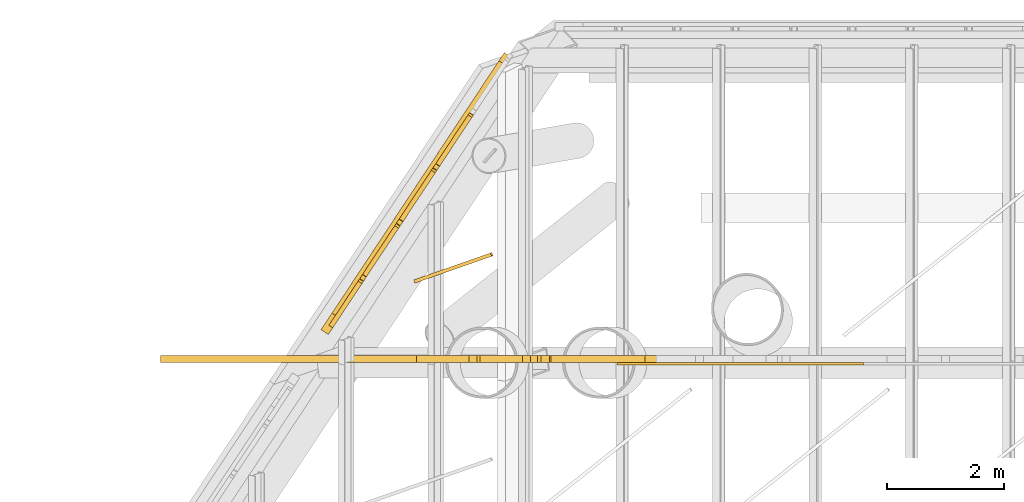
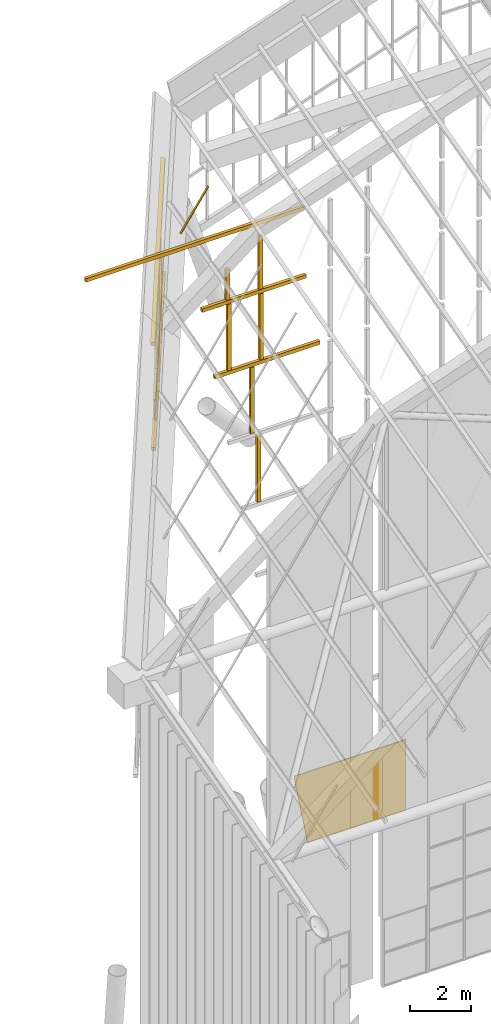
# One storey, part 113 of 126: 20 coverings.
"""IFC4 building model written with IfcOpenShell, lengths in metres."""

from ifc_helpers import new_model, si_unit, direction, frame, origin, origin_2d, place, context, subcontext, project, spatial, polyline, rectangle, outline, extrude, material, layer, layer_set, material_profile, profile_set, type_object, element, save


model = new_model("IFC4")

# Units and contexts
model_context = context("Model", 3, precision=1e-05, world=origin(), true_north=direction((0.0, 1.0)))
body_context = subcontext(model_context, "Body", "Model", "MODEL_VIEW")
ifc_project = project(units=[si_unit("LENGTHUNIT", "METRE"), si_unit("AREAUNIT", "SQUARE_METRE"), si_unit("VOLUMEUNIT", "CUBIC_METRE"), si_unit("PLANEANGLEUNIT", "RADIAN"), si_unit("MASSUNIT", "GRAM", prefix="KILO")], contexts=[model_context])

# Site, building, storey
site_placement = place(None, origin())
site = spatial("IfcSite", under=ifc_project, at=site_placement, CompositionType="ELEMENT")
building_placement = place(site_placement, origin())
building = spatial("IfcBuilding", under=site, at=building_placement, Name="Sava Quay Ferry Terminal", CompositionType="ELEMENT")
storey_placement = place(building_placement, frame((0.0, 0.0, 15.0)))
storey = spatial("IfcBuildingStorey", under=building, at=storey_placement, Name="L03", CompositionType="ELEMENT", Elevation=15.0)

# Coverings
ifc_material_1 = material(Name="Zinc standing seam sheet")
ifc_material_profile_1 = material_profile(ifc_material_1, rectangle(XDim=0.300048828125, YDim=0.14990234375, at=origin_2d()), Name="Strip 300 x 150")
ifc_profile_set_1 = profile_set([ifc_material_profile_1], Name="Zinc standing seam sheet")
covering_type_1 = type_object("IfcCoveringType", Name="Prow apron batten band 300 x 150", PredefinedType="CLADDING", material=ifc_profile_set_1)
covering_1_placement = place(storey_placement, frame((50.580078125, 114.38525390625, 20.356201171875), z_axis=(-0.460642119145, -0.696328657324, -0.55039552965), x_axis=(-0.303670062788, -0.459042189809, 0.834904042954)))
element("IfcCovering", 1, at=covering_1_placement, inside=storey, type_object=covering_type_1, Name="Prow apron batten band", PredefinedType="CLADDING", context=body_context, shape_type="SweptSolid", body=[
    extrude(rectangle(XDim=0.300048828125, YDim=0.14990234375, at=origin_2d()), origin(), (0.0, 0.0, 1.0), 6.188232421875),
])
covering_2_placement = place(storey_placement, frame((50.531005859375, 114.31103515625, 24.938232421875), z_axis=(-0.460666433072, -0.696320382631, -0.550385648589), x_axis=(-0.303678270073, -0.459024912677, 0.834910556783)))
element("IfcCovering", 2, at=covering_2_placement, inside=storey, type_object=covering_type_1, Name="Prow apron batten band", PredefinedType="CLADDING", context=body_context, shape_type="SweptSolid", body=[
    extrude(rectangle(XDim=0.300048828125, YDim=0.14990234375, at=origin_2d()), origin(), (0.0, 0.0, 1.0), 6.49267578125),
])
ifc_material_2 = material(Name="Zinc standing seam sheet")
ifc_material_profile_2 = material_profile(ifc_material_2, rectangle(XDim=0.080078125, YDim=0.080078125, at=origin_2d()), Name="Strip 80 x 80")
ifc_profile_set_2 = profile_set([ifc_material_profile_2], Name="Zinc standing seam sheet")
covering_type_2 = type_object("IfcCoveringType", Name="Prow apron seam rib 80 x 80", PredefinedType="CLADDING", material=ifc_profile_set_2)
for number, where, z_axis, x_axis, name in (
    (3, (49.40234375, 112.54150390625, 19.1337890625), (0.0, 0.0, 1.0), (0.551746967429, 0.834011561031, 0.0), "Prow apron seam rib"),
    (4, (48.776123046875, 111.594970703125, 18.3857421875), (0.0, 0.0, 1.0), (0.551746967429, 0.834011561031, 0.0), "Prow apron seam rib"),
    (5, (48.14990234375, 110.6484375, 17.637451171875), (0.0, 0.0, 1.0), (0.551746967429, 0.834011561031, 0.0), "Prow apron seam rib"),
):
    element("IfcCovering", number, at=place(storey_placement, frame(where, z_axis=z_axis, x_axis=x_axis)), inside=storey, type_object=covering_type_2, Name=name, PredefinedType="CLADDING", context=body_context, shape_type="SweptSolid", body=[
        extrude(rectangle(XDim=0.080078125, YDim=0.080078125, at=origin_2d()), origin(), (0.0, 0.0, 1.0), 4.201416015625),
    ])
covering_3_placement = place(storey_placement, frame((49.989990234375, 113.4296875, 21.9365234375), z_axis=(-0.460654731842, -0.696309954982, -0.550408634221), x_axis=(-0.303688750268, -0.459045539773, 0.834895403853)))
element("IfcCovering", 6, at=covering_3_placement, inside=storey, type_object=covering_type_2, Name="Prow apron cross seam", PredefinedType="CLADDING", context=body_context, shape_type="SweptSolid", body=[
    extrude(rectangle(XDim=0.080078125, YDim=0.080078125, at=origin_2d()), origin(), (0.0, 0.0, 1.0), 1.19140625),
])
covering_4_placement = place(storey_placement, frame((49.36376953125, 112.483154296875, 21.1884765625), z_axis=(-0.460698463658, -0.696271266329, -0.550420974589), x_axis=(-0.303727349779, -0.459034798532, 0.834887268278)))
element("IfcCovering", 7, at=covering_4_placement, inside=storey, type_object=covering_type_2, Name="Prow apron cross seam", PredefinedType="CLADDING", context=body_context, shape_type="SweptSolid", body=[
    extrude(rectangle(XDim=0.080078125, YDim=0.080078125, at=origin_2d()), origin(), (0.0, 0.0, 1.0), 1.19189453125),
])
covering_5_placement = place(storey_placement, frame((48.737548828125, 111.53662109375, 20.440185546875), z_axis=(-0.460537072026, -0.69633696967, -0.550472914829), x_axis=(-0.3036620548, -0.459140268801, 0.834853023017)))
element("IfcCovering", 8, at=covering_5_placement, inside=storey, type_object=covering_type_2, Name="Prow apron cross seam", PredefinedType="CLADDING", context=body_context, shape_type="SweptSolid", body=[
    extrude(rectangle(XDim=0.080078125, YDim=0.080078125, at=origin_2d()), origin(), (0.0, 0.0, 1.0), 1.191650390625),
])
covering_6_placement = place(storey_placement, frame((48.111328125, 110.590087890625, 19.69189453125), z_axis=(-0.460643185119, -0.696373503922, -0.550337895333), x_axis=(-0.303625150639, -0.459002796221, 0.834942034492)))
element("IfcCovering", 9, at=covering_6_placement, inside=storey, type_object=covering_type_2, Name="Prow apron cross seam", PredefinedType="CLADDING", context=body_context, shape_type="SweptSolid", body=[
    extrude(rectangle(XDim=0.080078125, YDim=0.080078125, at=origin_2d()), origin(), (0.0, 0.0, 1.0), 1.083251953125),
])
ifc_material_3 = material(Name="Laminated glass", Category="glass")
ifc_layer_1 = layer(ifc_material_3, 0.0400390625)
ifc_layer_set_1 = layer_set([ifc_layer_1], Name="Laminated glass")
covering_type_3 = type_object("IfcCoveringType", Name="Prow end glazing 40", PredefinedType="CLADDING", material=ifc_layer_set_1)
covering_7_placement = place(storey_placement, frame((52.5, 109.199951171875, 2.72900390625), z_axis=(0.0, 1.0, 0.0), x_axis=(0.0, 0.0, 1.0)))
element("IfcCovering", 10, at=covering_7_placement, inside=storey, type_object=covering_type_3, Name="Departure hall prow end glazing panel 11", PredefinedType="CLADDING", context=body_context, shape_type="SweptSolid", body=[
    extrude(outline(polyline([(0.0, 0.0), (0.091064453125, 0.0), (0.091064453125, 4.199951171875), (-2.722412109375, 4.199951171875), (-2.722412109375, 0.499267578125), (0.0, 0.0)])), origin(), (0.0, 0.0, -1.0), 0.0400390625),
])
ifc_material_4 = material(Name="Steel S355", Category="steel")
ifc_material_profile_3 = material_profile(ifc_material_4, rectangle(XDim=0.139892578125, YDim=0.1201171875, at=origin_2d()), Name="Strip 140 x 120")
ifc_profile_set_3 = profile_set([ifc_material_profile_3], Name="Steel S355")
covering_type_4 = type_object("IfcCoveringType", Name="Prow glazing bar 140 x 120", PredefinedType="CLADDING", material=ifc_profile_set_3)
covering_8_placement = place(storey_placement, frame((51.201416015625, 109.260009765625, 14.16357421875), z_axis=(0.0, 0.0, 1.0), x_axis=(1.0, 0.0, 0.0)))
element("IfcCovering", 11, at=covering_8_placement, inside=storey, type_object=covering_type_4, Name="Prow glazing bar", PredefinedType="CLADDING", context=body_context, shape_type="SweptSolid", body=[
    extrude(rectangle(XDim=0.139892578125, YDim=0.1201171875, at=origin_2d()), origin(), (0.0, 0.0, 1.0), 2.633056640625),
])
covering_9_placement = place(storey_placement, frame((50.943603515625, 109.260009765625, 16.976806640625), z_axis=(0.0, 0.0, 1.0), x_axis=(1.0, 0.0, 0.0)))
element("IfcCovering", 12, at=covering_9_placement, inside=storey, type_object=covering_type_4, Name="Prow glazing bar", PredefinedType="CLADDING", context=body_context, shape_type="SweptSolid", body=[
    extrude(rectangle(XDim=0.139892578125, YDim=0.1201171875, at=origin_2d()), origin(), (0.0, 0.0, 1.0), 2.63330078125),
])
for number, where, z_axis, x_axis, name in (
    (13, (51.290283203125, 109.260009765625, 19.790283203125), (0.0, 0.0, 1.0), (1.0, 0.0, 0.0), "Prow glazing bar"),
    (14, (50.08056640625, 109.260009765625, 19.790283203125), (0.0, 0.0, 1.0), (1.0, 0.0, 0.0), "Prow glazing bar"),
):
    element("IfcCovering", number, at=place(storey_placement, frame(where, z_axis=z_axis, x_axis=x_axis)), inside=storey, type_object=covering_type_4, Name=name, PredefinedType="CLADDING", context=body_context, shape_type="SweptSolid", body=[
        extrude(rectangle(XDim=0.139892578125, YDim=0.1201171875, at=origin_2d()), origin(), (0.0, 0.0, 1.0), 2.633056640625),
    ])
covering_10_placement = place(storey_placement, frame((51.263671875, 109.260009765625, 22.603515625), z_axis=(0.0, 0.0, 1.0), x_axis=(1.0, 0.0, 0.0)))
element("IfcCovering", 15, at=covering_10_placement, inside=storey, type_object=covering_type_4, Name="Prow glazing bar", PredefinedType="CLADDING", context=body_context, shape_type="SweptSolid", body=[
    extrude(rectangle(XDim=0.139892578125, YDim=0.1201171875, at=origin_2d()), origin(), (0.0, 0.0, 1.0), 2.128662109375),
])
covering_11_placement = place(storey_placement, frame((50.02734375, 109.260009765625, 22.603515625), z_axis=(0.0, 0.0, 1.0), x_axis=(1.0, 0.0, 0.0)))
element("IfcCovering", 16, at=covering_11_placement, inside=storey, type_object=covering_type_4, Name="Prow glazing bar", PredefinedType="CLADDING", context=body_context, shape_type="SweptSolid", body=[
    extrude(rectangle(XDim=0.139892578125, YDim=0.1201171875, at=origin_2d()), origin(), (0.0, 0.0, 1.0), 1.22119140625),
])
covering_12_placement = place(storey_placement, frame((53.4873046875, 109.260009765625, 19.7001953125), z_axis=(-1.0, 0.0, 0.0), x_axis=(0.0, 0.0, 1.0)))
element("IfcCovering", 17, at=covering_12_placement, inside=storey, type_object=covering_type_4, Name="Prow glazing bar", PredefinedType="CLADDING", context=body_context, shape_type="SweptSolid", body=[
    extrude(rectangle(XDim=0.139892578125, YDim=0.1201171875, at=origin_2d()), origin(), (0.0, 0.0, 1.0), 3.95849609375),
])
covering_13_placement = place(storey_placement, frame((52.970947265625, 109.260009765625, 22.513427734375), z_axis=(-1.0, 0.0, 0.0), x_axis=(0.0, 0.0, 1.0)))
element("IfcCovering", 18, at=covering_13_placement, inside=storey, type_object=covering_type_4, Name="Prow glazing bar", PredefinedType="CLADDING", context=body_context, shape_type="SweptSolid", body=[
    extrude(rectangle(XDim=0.139892578125, YDim=0.1201171875, at=origin_2d()), origin(), (0.0, 0.0, 1.0), 3.9072265625),
])
covering_14_placement = place(storey_placement, frame((52.89111328125, 109.260009765625, 25.247802734375), z_axis=(-1.0, 0.0, 0.0), x_axis=(0.0, 0.0, 1.0)))
element("IfcCovering", 19, at=covering_14_placement, inside=storey, type_object=covering_type_4, Name="Prow glazing bar", PredefinedType="CLADDING", context=body_context, shape_type="SweptSolid", body=[
    extrude(rectangle(XDim=0.139892578125, YDim=0.1201171875, at=origin_2d()), origin(), (0.0, 0.0, 1.0), 8.199951171875),
])
ifc_material_5 = material(Name="Zinc standing seam")
ifc_layer_2 = layer(ifc_material_5, 0.0400390625)
ifc_layer_set_2 = layer_set([ifc_layer_2], Name="Zinc standing seam")
covering_type_5 = type_object("IfcCoveringType", Name="Roof seam rib 60", PredefinedType="ROOFING", material=ifc_layer_set_2)
covering_15_placement = place(storey_placement, frame((49.01611328125, 110.614501953125, 24.76513671875), z_axis=(-0.601862368188, -0.21058683293, 0.770334262224), x_axis=(0.727067445559, 0.254534501011, 0.637640272727)))
element("IfcCovering", 20, at=covering_15_placement, inside=storey, type_object=covering_type_5, Name="Roof seam rib", PredefinedType="ROOFING", context=body_context, shape_type="SweptSolid", body=[
    extrude(outline(polyline([(0.0, 0.0), (1.8041683951367014, -2.3798237686056822e-17), (1.8041294446620335, -0.05999353545844301), (2.3191737493067147e-05, -0.05976310170628064), (0.0, 0.0)])), origin(), (0.0, 0.0, -1.0), 0.0400390625),
])

save(model, "model.ifc")
